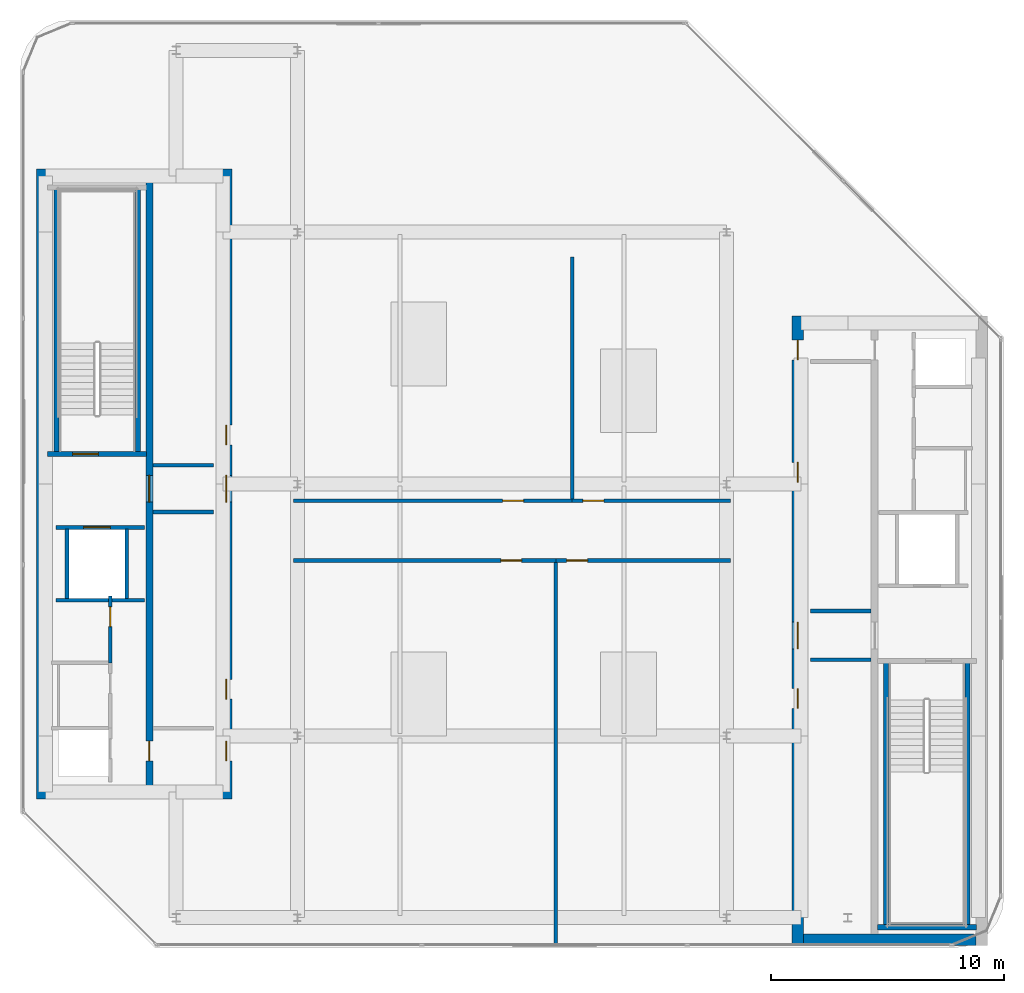
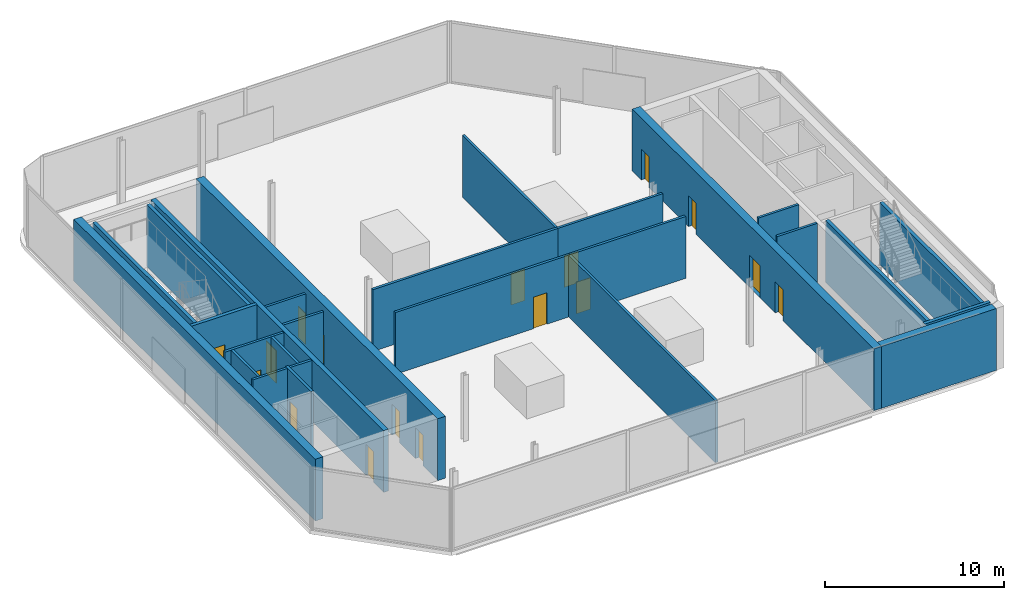
# One storey, part 5 of 15: 26 walls, 17 doors, 17 openings.
"""IFC4 building model written with IfcOpenShell, lengths in metres."""

from ifc_helpers import new_model, si_unit, direction, frame, frame_2d, origin, place, context, subcontext, project, spatial, rectangle, extrude, material, layer, layer_set, type_object, element, fill, save


model = new_model("IFC4")

# Units and contexts
model_context = context("Model", 3, precision=1e-05, world=origin(), true_north=direction((0.0, 1.0)))
body_context = subcontext(model_context, "Body", "Model", "MODEL_VIEW")
ifc_project = project(units=[si_unit("LENGTHUNIT", "METRE"), si_unit("AREAUNIT", "SQUARE_METRE"), si_unit("VOLUMEUNIT", "CUBIC_METRE"), si_unit("PLANEANGLEUNIT", "RADIAN"), si_unit("MASSUNIT", "GRAM", prefix="KILO")], contexts=[model_context])

# Site, building, storey
site_placement = place(None, origin())
site = spatial("IfcSite", under=ifc_project, at=site_placement, CompositionType="ELEMENT")
building_placement = place(site_placement, origin())
building = spatial("IfcBuilding", under=site, at=building_placement, Name="Khairoan Windgate Tower", CompositionType="ELEMENT")
storey_placement = place(building_placement, frame((0.0, 0.0, 335.0)))
storey = spatial("IfcBuildingStorey", under=building, at=storey_placement, Name="L80", CompositionType="ELEMENT", Elevation=335.0)

# Wall, opening, door
ifc_material_1 = material(Name="Concrete C40/50", Category="concrete")
ifc_layer_1 = layer(ifc_material_1, 0.159912109375, Name="Concrete C40/50")
ifc_layer_set_1 = layer_set([ifc_layer_1], Name="Concrete C40/50")
wall_type_1 = type_object("IfcWallType", Name="Core and Hoistway Enclosure Wall", PredefinedType="STANDARD", material=ifc_layer_set_1)
wall_1_placement = place(storey_placement, frame((-19.550048828125, -1.860107421875, 0.0), z_axis=(0.0, 0.0, 1.0), x_axis=(1.0, 0.0, 0.0)))
wall_1 = element("IfcWall", 1, at=wall_1_placement, inside=storey, type_object=wall_type_1, Name="L80 Core Shaft Wall SW-FL2-L80", PredefinedType="STANDARD", context=body_context, shape_type="SweptSolid", body=[
    extrude(rectangle(XDim=3.800048828125, YDim=0.159912109375, at=frame_2d((1.89990234375, 0.0))), origin(), (0.0, 0.0, 1.0), 4.219970703125),
])
opening_1_placement = place(wall_1_placement, frame((1.179931640625, 0.0, 0.0)))
opening_1 = element("IfcOpeningElement", 2, at=opening_1_placement, cuts=wall_1, Name="Opening LD-FL", PredefinedType="OPENING", context=body_context, shape_type="SweptSolid", body=[
    extrude(rectangle(XDim=1.14990234375, YDim=2.199951171875, at=frame_2d((0.574951171875, 1.10009765625))), frame((0.0, 0.08984375, 0.0), z_axis=(0.0, -1.0, 0.0), x_axis=(1.0, 0.0, 0.0)), (0.0, 0.0, 1.0), 0.179931640625),
])
ifc_material_2 = material(Name="Steel S355", Category="steel")
door_type_1 = type_object("IfcDoorType", Name="Firefighting Lift Sliding Landing Door LD-FL 1150x2200", OperationType="DOUBLE_DOOR_SLIDING", PredefinedType="DOOR", material=ifc_material_2)
door_1_placement = place(opening_1_placement, origin())
door_1 = element("IfcDoor", 3, at=door_1_placement, inside=storey, type_object=door_type_1, Name="L80 Firefighting Lift FL2 Landing Door", OperationType="DOUBLE_DOOR_SLIDING", OverallHeight=2.199951171875, OverallWidth=1.14990234375, PredefinedType="DOOR", context=body_context, shape_type="SweptSolid", body=[
    extrude(rectangle(XDim=1.14990234375, YDim=2.199951171875, at=frame_2d((0.574951171875, 1.10009765625))), frame((0.0, 0.02490234375, 0.0), z_axis=(0.0, -1.0, 0.0), x_axis=(1.0, 0.0, 0.0)), (0.0, 0.0, 1.0), 0.050048828125),
])
fill(opening_1, door_1)

# Walls
wall_2_placement = place(storey_placement, frame((-19.550048828125, -4.97998046875, 0.0), z_axis=(0.0, 0.0, 1.0), x_axis=(1.0, 0.0, 0.0)))
element("IfcWall", 4, at=wall_2_placement, inside=storey, type_object=wall_type_1, Name="L80 Core Shaft Wall SW-FL2B-L80", PredefinedType="STANDARD", context=body_context, shape_type="SweptSolid", body=[
    extrude(rectangle(XDim=3.800048828125, YDim=0.159912109375, at=frame_2d((1.89990234375, 0.0))), origin(), (0.0, 0.0, 1.0), 4.219970703125),
])
for number, where, z_axis, x_axis, name in (
    (5, (-19.080078125, -4.89990234375, 0.0), (0.0, 0.0, 1.0), (0.0, 1.0, 0.0), "L80 Core Shaft Wall SW-FL2W-L80"),
    (6, (-16.52001953125, -4.89990234375, 0.0), (0.0, 0.0, 1.0), (0.0, 1.0, 0.0), "L80 Core Shaft Wall SW-FL2E-L80"),
):
    element("IfcWall", number, at=place(storey_placement, frame(where, z_axis=z_axis, x_axis=x_axis)), inside=storey, type_object=wall_type_1, Name=name, PredefinedType="STANDARD", context=body_context, shape_type="SweptSolid", body=[
        extrude(rectangle(XDim=2.9599609375, YDim=0.159912109375, at=frame_2d((1.47998046875, 0.0))), origin(), (0.0, 0.0, 1.0), 4.219970703125),
    ])
for number, where, z_axis, x_axis, name in (
    (7, (-15.39990234375, 0.800048828125, 0.0), (0.0, 0.0, 1.0), (1.0, 0.0, 0.0), "L80 Core Shaft Wall SW-WV1-L80"),
    (8, (-15.39990234375, -1.199951171875, 0.0), (0.0, 0.0, 1.0), (1.0, 0.0, 0.0), "L80 Core Shaft Wall SW-WV2-L80"),
    (9, (12.800048828125, -5.449951171875, 0.0), (0.0, 0.0, 1.0), (1.0, 0.0, 0.0), "L80 Core Shaft Wall SW-EV1-L80"),
    (10, (12.800048828125, -7.5400390625, 0.0), (0.0, 0.0, 1.0), (1.0, 0.0, 0.0), "L80 Core Shaft Wall SW-EV2-L80"),
):
    element("IfcWall", number, at=place(storey_placement, frame(where, z_axis=z_axis, x_axis=x_axis)), inside=storey, type_object=wall_type_1, Name=name, PredefinedType="STANDARD", context=body_context, shape_type="SweptSolid", body=[
        extrude(rectangle(XDim=2.599853515625, YDim=0.159912109375, at=frame_2d((1.2998046875, 0.0))), origin(), (0.0, 0.0, 1.0), 4.219970703125),
    ])

# Wall, opening, door
ifc_material_3 = material(Name="Concrete C40/50", Category="concrete")
ifc_layer_2 = layer(ifc_material_3, 0.159912109375, Name="Concrete C40/50")
ifc_layer_set_2 = layer_set([ifc_layer_2], Name="Concrete C40/50")
wall_type_2 = type_object("IfcWallType", Name="Plant and Refuge Compartment Wall", PredefinedType="PARTITIONING", material=ifc_layer_set_2)
wall_3_placement = place(storey_placement, frame((-17.22998046875, -7.669921875, 0.0), z_axis=(0.0, 0.0, 1.0), x_axis=(0.0, 1.0, 0.0)))
wall_3 = element("IfcWall", 11, at=wall_3_placement, inside=storey, type_object=wall_type_2, Name="L80 Interior Partition 003", PredefinedType="PARTITIONING", context=body_context, shape_type="SweptSolid", body=[
    extrude(rectangle(XDim=2.85986328125, YDim=0.159912109375, at=frame_2d((1.429931640625, 0.0))), origin(), (0.0, 0.0, 1.0), 4.219970703125),
])
opening_2_placement = place(wall_3_placement, frame((1.550048828125, 0.0, 0.0)))
opening_2 = element("IfcOpeningElement", 12, at=opening_2_placement, cuts=wall_3, Name="Opening FD-SRV", PredefinedType="OPENING", context=body_context, shape_type="SweptSolid", body=[
    extrude(rectangle(XDim=0.85009765625, YDim=2.10009765625, at=frame_2d((0.425048828125, 1.050048828125))), frame((0.0, 0.08984375, 0.0), z_axis=(0.0, -1.0, 0.0), x_axis=(1.0, 0.0, 0.0)), (0.0, 0.0, 1.0), 0.179931640625),
])
ifc_material_4 = material(Name="Steel S355", Category="steel")
door_type_2 = type_object("IfcDoorType", Name="Core Service and Riser Fire Door FD-SRV 850x2100", OperationType="NOTDEFINED", PredefinedType="DOOR", material=ifc_material_4)
door_2_placement = place(opening_2_placement, origin())
door_2 = element("IfcDoor", 13, at=door_2_placement, inside=storey, type_object=door_type_2, Name="L80 L80-04-L80-07 Door", OperationType="SINGLE_SWING_LEFT", OverallHeight=2.10009765625, OverallWidth=0.85009765625, PredefinedType="DOOR", context=body_context, shape_type="SweptSolid", body=[
    extrude(rectangle(XDim=0.85009765625, YDim=2.10009765625, at=frame_2d((0.425048828125, 1.050048828125))), frame((0.0, 0.02490234375, 0.0), z_axis=(0.0, -1.0, 0.0), x_axis=(1.0, 0.0, 0.0)), (0.0, 0.0, 1.0), 0.050048828125),
])
fill(opening_2, door_2)

wall_4_placement = place(storey_placement, frame((-9.360107421875, -0.719970703125, 0.0), z_axis=(0.0, 0.0, 1.0), x_axis=(1.0, 0.0, 0.0)))
wall_4 = element("IfcWall", 14, at=wall_4_placement, inside=storey, type_object=wall_type_2, Name="L80 Interior Partition 011", PredefinedType="PARTITIONING", context=body_context, shape_type="SweptSolid", body=[
    extrude(rectangle(XDim=11.940185546875, YDim=0.159912109375, at=frame_2d((5.97021484375, 0.0))), origin(), (0.0, 0.0, 1.0), 4.219970703125),
])
opening_3_placement = place(wall_4_placement, frame((8.960693359375, 0.0, 0.0)))
opening_3 = element("IfcOpeningElement", 15, at=opening_3_placement, cuts=wall_4, Name="Opening FD-ENT", PredefinedType="OPENING", context=body_context, shape_type="SweptSolid", body=[
    extrude(rectangle(XDim=0.89990234375, YDim=2.14990234375, at=frame_2d((0.449951171875, 1.074951171875))), frame((0.0, 0.08984375, 0.0), z_axis=(0.0, -1.0, 0.0), x_axis=(1.0, 0.0, 0.0)), (0.0, 0.0, 1.0), 0.179931640625),
])
ifc_material_5 = material(Name="Timber Fire-Rated Core", Category="wood")
door_type_3 = type_object("IfcDoorType", Name="Unit and Office Fire Entrance Door FD-ENT 900x2150", OperationType="NOTDEFINED", PredefinedType="DOOR", material=ifc_material_5)
door_3_placement = place(opening_3_placement, origin())
door_3 = element("IfcDoor", 16, at=door_3_placement, inside=storey, type_object=door_type_3, Name="L80 L80-25-L80-26 Door", OperationType="SINGLE_SWING_LEFT", OverallHeight=2.14990234375, OverallWidth=0.89990234375, PredefinedType="DOOR", context=body_context, shape_type="SweptSolid", body=[
    extrude(rectangle(XDim=0.89990234375, YDim=2.14990234375, at=frame_2d((0.449951171875, 1.074951171875))), frame((0.0, 0.02490234375, 0.0), z_axis=(0.0, -1.0, 0.0), x_axis=(1.0, 0.0, 0.0)), (0.0, 0.0, 1.0), 0.050048828125),
])
fill(opening_3, door_3)

wall_5_placement = place(storey_placement, frame((-9.360107421875, -3.280029296875, 0.0), z_axis=(0.0, 0.0, 1.0), x_axis=(1.0, 0.0, 0.0)))
wall_5 = element("IfcWall", 17, at=wall_5_placement, inside=storey, type_object=wall_type_2, Name="L80 Interior Partition 012", PredefinedType="PARTITIONING", context=body_context, shape_type="SweptSolid", body=[
    extrude(rectangle(XDim=11.239990234375, YDim=0.159912109375, at=frame_2d((5.6201171875, 0.0))), origin(), (0.0, 0.0, 1.0), 4.219970703125),
])
opening_4_placement = place(wall_5_placement, frame((8.8779296875, 0.0, 0.0)))
opening_4 = element("IfcOpeningElement", 18, at=opening_4_placement, cuts=wall_5, Name="Opening FD-ENT", PredefinedType="OPENING", context=body_context, shape_type="SweptSolid", body=[
    extrude(rectangle(XDim=0.89990234375, YDim=2.14990234375, at=frame_2d((0.449951171875, 1.074951171875))), frame((0.0, 0.08984375, 0.0), z_axis=(0.0, -1.0, 0.0), x_axis=(1.0, 0.0, 0.0)), (0.0, 0.0, 1.0), 0.179931640625),
])
door_4_placement = place(opening_4_placement, origin())
door_4 = element("IfcDoor", 19, at=door_4_placement, inside=storey, type_object=door_type_3, Name="L80 L80-25-L80-27 Door", OperationType="SINGLE_SWING_RIGHT", OverallHeight=2.14990234375, OverallWidth=0.89990234375, PredefinedType="DOOR", context=body_context, shape_type="SweptSolid", body=[
    extrude(rectangle(XDim=0.89990234375, YDim=2.14990234375, at=frame_2d((0.449951171875, 1.074951171875))), frame((0.0, 0.02490234375, 0.0), z_axis=(0.0, -1.0, 0.0), x_axis=(1.0, 0.0, 0.0)), (0.0, 0.0, 1.0), 0.050048828125),
])
fill(opening_4, door_4)

wall_6_placement = place(storey_placement, frame((1.8798828125, -3.280029296875, 0.0), z_axis=(0.0, 0.0, 1.0), x_axis=(1.0, 0.0, 0.0)))
wall_6 = element("IfcWall", 20, at=wall_6_placement, inside=storey, type_object=wall_type_2, Name="L80 Interior Partition 013", PredefinedType="PARTITIONING", context=body_context, shape_type="SweptSolid", body=[
    extrude(rectangle(XDim=7.480224609375, YDim=0.159912109375, at=frame_2d((3.740234375, 0.0))), origin(), (0.0, 0.0, 1.0), 4.219970703125),
])
opening_5_placement = place(wall_6_placement, frame((0.4599609375, 0.0, 0.0)))
opening_5 = element("IfcOpeningElement", 21, at=opening_5_placement, cuts=wall_6, Name="Opening FD-ENT", PredefinedType="OPENING", context=body_context, shape_type="SweptSolid", body=[
    extrude(rectangle(XDim=0.89990234375, YDim=2.14990234375, at=frame_2d((0.449951171875, 1.074951171875))), frame((0.0, 0.08984375, 0.0), z_axis=(0.0, -1.0, 0.0), x_axis=(1.0, 0.0, 0.0)), (0.0, 0.0, 1.0), 0.179931640625),
])
door_5_placement = place(opening_5_placement, origin())
door_5 = element("IfcDoor", 22, at=door_5_placement, inside=storey, type_object=door_type_3, Name="L80 L80-25-L80-28 Door", OperationType="SINGLE_SWING_LEFT", OverallHeight=2.14990234375, OverallWidth=0.89990234375, PredefinedType="DOOR", context=body_context, shape_type="SweptSolid", body=[
    extrude(rectangle(XDim=0.89990234375, YDim=2.14990234375, at=frame_2d((0.449951171875, 1.074951171875))), frame((0.0, 0.02490234375, 0.0), z_axis=(0.0, -1.0, 0.0), x_axis=(1.0, 0.0, 0.0)), (0.0, 0.0, 1.0), 0.050048828125),
])
fill(opening_5, door_5)

wall_7_placement = place(storey_placement, frame((2.580078125, -0.719970703125, 0.0), z_axis=(0.0, 0.0, 1.0), x_axis=(1.0, 0.0, 0.0)))
wall_7 = element("IfcWall", 23, at=wall_7_placement, inside=storey, type_object=wall_type_2, Name="L80 Interior Partition 014", PredefinedType="PARTITIONING", context=body_context, shape_type="SweptSolid", body=[
    extrude(rectangle(XDim=6.780029296875, YDim=0.159912109375, at=frame_2d((3.39013671875, 0.0))), origin(), (0.0, 0.0, 1.0), 4.219970703125),
])
opening_6_placement = place(wall_7_placement, frame((0.4599609375, 0.0, 0.0)))
opening_6 = element("IfcOpeningElement", 24, at=opening_6_placement, cuts=wall_7, Name="Opening FD-ENT", PredefinedType="OPENING", context=body_context, shape_type="SweptSolid", body=[
    extrude(rectangle(XDim=0.89990234375, YDim=2.14990234375, at=frame_2d((0.449951171875, 1.074951171875))), frame((0.0, 0.08984375, 0.0), z_axis=(0.0, -1.0, 0.0), x_axis=(1.0, 0.0, 0.0)), (0.0, 0.0, 1.0), 0.179931640625),
])
door_6_placement = place(opening_6_placement, origin())
door_6 = element("IfcDoor", 25, at=door_6_placement, inside=storey, type_object=door_type_3, Name="L80 L80-25-L80-29 Door", OperationType="SINGLE_SWING_RIGHT", OverallHeight=2.14990234375, OverallWidth=0.89990234375, PredefinedType="DOOR", context=body_context, shape_type="SweptSolid", body=[
    extrude(rectangle(XDim=0.89990234375, YDim=2.14990234375, at=frame_2d((0.449951171875, 1.074951171875))), frame((0.0, 0.02490234375, 0.0), z_axis=(0.0, -1.0, 0.0), x_axis=(1.0, 0.0, 0.0)), (0.0, 0.0, 1.0), 0.050048828125),
])
fill(opening_6, door_6)

# Walls
wall_8_placement = place(storey_placement, frame((2.580078125, -0.639892578125, 0.0), z_axis=(0.0, 0.0, 1.0), x_axis=(0.0, 1.0, 0.0)))
element("IfcWall", 26, at=wall_8_placement, inside=storey, type_object=wall_type_2, Name="L80 Interior Partition 015", PredefinedType="PARTITIONING", context=body_context, shape_type="SweptSolid", body=[
    extrude(rectangle(XDim=10.3798828125, YDim=0.159912109375, at=frame_2d((5.18994140625, 0.0))), origin(), (0.0, 0.0, 1.0), 4.219970703125),
])
wall_9_placement = place(storey_placement, frame((1.8798828125, -19.7548828125, 0.0), z_axis=(0.0, 0.0, 1.0), x_axis=(0.0, 1.0, 0.0)))
element("IfcWall", 27, at=wall_9_placement, inside=storey, type_object=wall_type_2, Name="L80 Interior Partition 016", PredefinedType="PARTITIONING", context=body_context, shape_type="SweptSolid", body=[
    extrude(rectangle(XDim=16.394775390625, YDim=0.159912109375, at=frame_2d((8.197265625, 0.0))), origin(), (0.0, 0.0, 1.0), 4.219970703125),
])

# Wall, openings, doors
ifc_material_6 = material(Name="Concrete C50/60", Category="concrete")
ifc_layer_3 = layer(ifc_material_6, 0.5, Name="Concrete C50/60")
ifc_layer_set_3 = layer_set([ifc_layer_3], Name="Concrete C50/60")
wall_type_3 = type_object("IfcWallType", Name="Shear Wall CW-E3 500mm", PredefinedType="SHEAR", material=ifc_layer_set_3)
wall_10_placement = place(storey_placement, frame((12.25, -19.800048828125, 0.0), z_axis=(0.0, 0.0, 1.0), x_axis=(0.0, 1.0, 0.0)))
wall_10 = element("IfcWall", 28, at=wall_10_placement, inside=storey, type_object=wall_type_3, Name="E Core West Shear Wall L80", PredefinedType="SHEAR", context=body_context, shape_type="SweptSolid", body=[
    extrude(rectangle(XDim=27.0, YDim=0.5, at=frame_2d((13.5, 0.0))), origin(), (0.0, 0.0, 1.0), 4.219970703125),
])
opening_7_placement = place(wall_10_placement, frame((19.875, 0.0, 0.0)))
opening_7 = element("IfcOpeningElement", 29, at=opening_7_placement, cuts=wall_10, Name="Opening FD-SRV", PredefinedType="OPENING", context=body_context, shape_type="SweptSolid", body=[
    extrude(rectangle(XDim=0.85009765625, YDim=2.10009765625, at=frame_2d((0.425048828125, 1.050048828125))), frame((0.0, 0.260009765625, 0.0), z_axis=(0.0, -1.0, 0.0), x_axis=(1.0, 0.0, 0.0)), (0.0, 0.0, 1.0), 0.52001953125),
])
opening_8_placement = place(wall_10_placement, frame((10.175048828125, 0.0, 0.0)))
opening_8 = element("IfcOpeningElement", 30, at=opening_8_placement, cuts=wall_10, Name="Opening FD-SRV", PredefinedType="OPENING", context=body_context, shape_type="SweptSolid", body=[
    extrude(rectangle(XDim=0.85009765625, YDim=2.10009765625, at=frame_2d((0.425048828125, 1.050048828125))), frame((0.0, 0.260009765625, 0.0), z_axis=(0.0, -1.0, 0.0), x_axis=(1.0, 0.0, 0.0)), (0.0, 0.0, 1.0), 0.52001953125),
])
opening_9_placement = place(wall_10_placement, frame((12.72509765625, 0.0, 0.0)))
opening_9 = element("IfcOpeningElement", 31, at=opening_9_placement, cuts=wall_10, Name="Opening FD-FFL", PredefinedType="OPENING", context=body_context, shape_type="SweptSolid", body=[
    extrude(rectangle(XDim=1.14990234375, YDim=2.199951171875, at=frame_2d((0.574951171875, 1.10009765625))), frame((0.0, 0.260009765625, 0.0), z_axis=(0.0, -1.0, 0.0), x_axis=(1.0, 0.0, 0.0)), (0.0, 0.0, 1.0), 0.52001953125),
])
opening_10_placement = place(wall_10_placement, frame((25.125, 0.0, 0.0)))
opening_10 = element("IfcOpeningElement", 32, at=opening_10_placement, cuts=wall_10, Name="Opening FD-SRV", PredefinedType="OPENING", context=body_context, shape_type="SweptSolid", body=[
    extrude(rectangle(XDim=0.85009765625, YDim=2.10009765625, at=frame_2d((0.425048828125, 1.050048828125))), frame((0.0, 0.260009765625, 0.0), z_axis=(0.0, -1.0, 0.0), x_axis=(1.0, 0.0, 0.0)), (0.0, 0.0, 1.0), 0.52001953125),
])
door_7_placement = place(opening_7_placement, origin())
door_7 = element("IfcDoor", 33, at=door_7_placement, inside=storey, type_object=door_type_2, Name="L80 Crown Overrun Plant Door", OperationType="SINGLE_SWING_LEFT", OverallHeight=2.10009765625, OverallWidth=0.85009765625, PredefinedType="DOOR", context=body_context, shape_type="SweptSolid", body=[
    extrude(rectangle(XDim=0.85009765625, YDim=2.10009765625, at=frame_2d((0.425048828125, 1.050048828125))), frame((0.0, 0.02490234375, 0.0), z_axis=(0.0, -1.0, 0.0), x_axis=(1.0, 0.0, 0.0)), (0.0, 0.0, 1.0), 0.050048828125),
])
fill(opening_7, door_7)
door_8_placement = place(opening_8_placement, origin())
door_8 = element("IfcDoor", 34, at=door_8_placement, inside=storey, type_object=door_type_2, Name="L80 East Core Service Room Door 1", OperationType="SINGLE_SWING_RIGHT", OverallHeight=2.10009765625, OverallWidth=0.85009765625, PredefinedType="DOOR", context=body_context, shape_type="SweptSolid", body=[
    extrude(rectangle(XDim=0.85009765625, YDim=2.10009765625, at=frame_2d((0.425048828125, 1.050048828125))), frame((0.0, 0.02490234375, 0.0), z_axis=(0.0, -1.0, 0.0), x_axis=(1.0, 0.0, 0.0)), (0.0, 0.0, 1.0), 0.050048828125),
])
fill(opening_8, door_8)
door_9_placement = place(opening_10_placement, origin())
door_9 = element("IfcDoor", 35, at=door_9_placement, inside=storey, type_object=door_type_2, Name="L80 East Core Service Vestibule Outer Door", OperationType="SINGLE_SWING_LEFT", OverallHeight=2.10009765625, OverallWidth=0.85009765625, PredefinedType="DOOR", context=body_context, shape_type="SweptSolid", body=[
    extrude(rectangle(XDim=0.85009765625, YDim=2.10009765625, at=frame_2d((0.425048828125, 1.050048828125))), frame((0.0, 0.02490234375, 0.0), z_axis=(0.0, -1.0, 0.0), x_axis=(1.0, 0.0, 0.0)), (0.0, 0.0, 1.0), 0.050048828125),
])
fill(opening_10, door_9)
ifc_material_7 = material(Name="Steel S355", Category="steel")
door_type_4 = type_object("IfcDoorType", Name="Firefighting Lobby Fire Door FD-FFL 1150x2200", OperationType="NOTDEFINED", PredefinedType="DOOR", material=ifc_material_7)
door_10_placement = place(opening_9_placement, origin())
door_10 = element("IfcDoor", 36, at=door_10_placement, inside=storey, type_object=door_type_4, Name="L80 East Core Vestibule Entry Door", OperationType="SINGLE_SWING_LEFT", OverallHeight=2.199951171875, OverallWidth=1.14990234375, PredefinedType="DOOR", context=body_context, shape_type="SweptSolid", body=[
    extrude(rectangle(XDim=1.14990234375, YDim=2.199951171875, at=frame_2d((0.574951171875, 1.10009765625))), frame((0.0, 0.02490234375, 0.0), z_axis=(0.0, -1.0, 0.0), x_axis=(1.0, 0.0, 0.0)), (0.0, 0.0, 1.0), 0.050048828125),
])
fill(opening_9, door_10)

# Walls
wall_11_placement = place(storey_placement, frame((12.5, -19.550048828125, 0.0), z_axis=(0.0, 0.0, 1.0), x_axis=(1.0, 0.0, 0.0)))
element("IfcWall", 37, at=wall_11_placement, inside=storey, type_object=wall_type_3, Name="E Core South Shear Wall L80", PredefinedType="SHEAR", context=body_context, shape_type="SweptSolid", body=[
    extrude(rectangle(XDim=7.39990234375, YDim=0.5, at=frame_2d((3.699951171875, 0.0))), origin(), (0.0, 0.0, 1.0), 4.219970703125),
])
ifc_material_8 = material(Name="Concrete C50/60", Category="concrete")
ifc_layer_4 = layer(ifc_material_8, 0.5, Name="Concrete C50/60")
ifc_layer_set_4 = layer_set([ifc_layer_4], Name="Concrete C50/60")
wall_type_4 = type_object("IfcWallType", Name="Shear Wall CW-W3 500mm", PredefinedType="SHEAR", material=ifc_layer_set_4)
wall_12_placement = place(storey_placement, frame((-20.14990234375, -13.5, 0.0), z_axis=(0.0, 0.0, 1.0), x_axis=(0.0, 1.0, 0.0)))
element("IfcWall", 38, at=wall_12_placement, inside=storey, type_object=wall_type_4, Name="W Core West Shear Wall L80", PredefinedType="SHEAR", context=body_context, shape_type="SweptSolid", body=[
    extrude(rectangle(XDim=27.0, YDim=0.5, at=frame_2d((13.5, 0.0))), origin(), (0.0, 0.0, 1.0), 4.219970703125),
])

# Wall, openings, doors
wall_13_placement = place(storey_placement, frame((-12.25, -13.5, 0.0), z_axis=(0.0, 0.0, 1.0), x_axis=(0.0, 1.0, 0.0)))
wall_13 = element("IfcWall", 39, at=wall_13_placement, inside=storey, type_object=wall_type_4, Name="W Core East Shear Wall L80", PredefinedType="SHEAR", context=body_context, shape_type="SweptSolid", body=[
    extrude(rectangle(XDim=27.0, YDim=0.5, at=frame_2d((13.5, 0.0))), origin(), (0.0, 0.0, 1.0), 4.219970703125),
])
opening_11_placement = place(wall_13_placement, frame((15.175048828125, 0.0, 0.0)))
opening_11 = element("IfcOpeningElement", 40, at=opening_11_placement, cuts=wall_13, Name="Opening FD-SRV", PredefinedType="OPENING", context=body_context, shape_type="SweptSolid", body=[
    extrude(rectangle(XDim=0.85009765625, YDim=2.10009765625, at=frame_2d((0.425048828125, 1.050048828125))), frame((0.0, 0.260009765625, 0.0), z_axis=(0.0, -1.0, 0.0), x_axis=(1.0, 0.0, 0.0)), (0.0, 0.0, 1.0), 0.52001953125),
])
opening_12_placement = place(wall_13_placement, frame((4.27490234375, 0.0, 0.0)))
opening_12 = element("IfcOpeningElement", 41, at=opening_12_placement, cuts=wall_13, Name="Opening FD-SRV", PredefinedType="OPENING", context=body_context, shape_type="SweptSolid", body=[
    extrude(rectangle(XDim=0.85009765625, YDim=2.10009765625, at=frame_2d((0.425048828125, 1.050048828125))), frame((0.0, 0.260009765625, 0.0), z_axis=(0.0, -1.0, 0.0), x_axis=(1.0, 0.0, 0.0)), (0.0, 0.0, 1.0), 0.52001953125),
])
opening_13_placement = place(wall_13_placement, frame((12.72509765625, 0.0, 0.0)))
opening_13 = element("IfcOpeningElement", 42, at=opening_13_placement, cuts=wall_13, Name="Opening FD-FFL", PredefinedType="OPENING", context=body_context, shape_type="SweptSolid", body=[
    extrude(rectangle(XDim=1.14990234375, YDim=2.199951171875, at=frame_2d((0.574951171875, 1.10009765625))), frame((0.0, 0.260009765625, 0.0), z_axis=(0.0, -1.0, 0.0), x_axis=(1.0, 0.0, 0.0)), (0.0, 0.0, 1.0), 0.52001953125),
])
opening_14_placement = place(wall_13_placement, frame((1.625, 0.0, 0.0)))
opening_14 = element("IfcOpeningElement", 43, at=opening_14_placement, cuts=wall_13, Name="Opening FD-SRV", PredefinedType="OPENING", context=body_context, shape_type="SweptSolid", body=[
    extrude(rectangle(XDim=0.85009765625, YDim=2.10009765625, at=frame_2d((0.425048828125, 1.050048828125))), frame((0.0, 0.260009765625, 0.0), z_axis=(0.0, -1.0, 0.0), x_axis=(1.0, 0.0, 0.0)), (0.0, 0.0, 1.0), 0.52001953125),
])
door_11_placement = place(opening_11_placement, origin())
door_11 = element("IfcDoor", 44, at=door_11_placement, inside=storey, type_object=door_type_2, Name="L80 Upper Core Room Door B1-1", OperationType="SINGLE_SWING_LEFT", OverallHeight=2.10009765625, OverallWidth=0.85009765625, PredefinedType="DOOR", context=body_context, shape_type="SweptSolid", body=[
    extrude(rectangle(XDim=0.85009765625, YDim=2.10009765625, at=frame_2d((0.425048828125, 1.050048828125))), frame((0.0, 0.02490234375, 0.0), z_axis=(0.0, -1.0, 0.0), x_axis=(1.0, 0.0, 0.0)), (0.0, 0.0, 1.0), 0.050048828125),
])
fill(opening_11, door_11)
door_12_placement = place(opening_12_placement, origin())
door_12 = element("IfcDoor", 45, at=door_12_placement, inside=storey, type_object=door_type_2, Name="L80 Upper Core Room Door B2-1", OperationType="SINGLE_SWING_RIGHT", OverallHeight=2.10009765625, OverallWidth=0.85009765625, PredefinedType="DOOR", context=body_context, shape_type="SweptSolid", body=[
    extrude(rectangle(XDim=0.85009765625, YDim=2.10009765625, at=frame_2d((0.425048828125, 1.050048828125))), frame((0.0, 0.02490234375, 0.0), z_axis=(0.0, -1.0, 0.0), x_axis=(1.0, 0.0, 0.0)), (0.0, 0.0, 1.0), 0.050048828125),
])
fill(opening_12, door_12)
door_13_placement = place(opening_14_placement, origin())
door_13 = element("IfcDoor", 46, at=door_13_placement, inside=storey, type_object=door_type_2, Name="L80 West Core Service Vestibule Outer Door", OperationType="SINGLE_SWING_LEFT", OverallHeight=2.10009765625, OverallWidth=0.85009765625, PredefinedType="DOOR", context=body_context, shape_type="SweptSolid", body=[
    extrude(rectangle(XDim=0.85009765625, YDim=2.10009765625, at=frame_2d((0.425048828125, 1.050048828125))), frame((0.0, 0.02490234375, 0.0), z_axis=(0.0, -1.0, 0.0), x_axis=(1.0, 0.0, 0.0)), (0.0, 0.0, 1.0), 0.050048828125),
])
fill(opening_14, door_13)
door_14_placement = place(opening_13_placement, origin())
door_14 = element("IfcDoor", 47, at=door_14_placement, inside=storey, type_object=door_type_4, Name="L80 West Core Vestibule Entry Door", OperationType="SINGLE_SWING_LEFT", OverallHeight=2.199951171875, OverallWidth=1.14990234375, PredefinedType="DOOR", context=body_context, shape_type="SweptSolid", body=[
    extrude(rectangle(XDim=1.14990234375, YDim=2.199951171875, at=frame_2d((0.574951171875, 1.10009765625))), frame((0.0, 0.02490234375, 0.0), z_axis=(0.0, -1.0, 0.0), x_axis=(1.0, 0.0, 0.0)), (0.0, 0.0, 1.0), 0.050048828125),
])
fill(opening_13, door_14)

ifc_material_9 = material(Name="Concrete C50/60", Category="concrete")
ifc_layer_5 = layer(ifc_material_9, 0.300048828125, Name="Concrete C50/60")
ifc_layer_set_5 = layer_set([ifc_layer_5], Name="Concrete C50/60")
wall_type_5 = type_object("IfcWallType", Name="Shear Wall SW-2 300mm", PredefinedType="SHEAR", material=ifc_layer_set_5)
wall_14_placement = place(storey_placement, frame((-15.550048828125, -13.0, 0.0), z_axis=(0.0, 0.0, 1.0), x_axis=(0.0, 1.0, 0.0)))
wall_14 = element("IfcWall", 48, at=wall_14_placement, inside=storey, type_object=wall_type_5, Name="W Core Spine Shear Wall L80", PredefinedType="SHEAR", context=body_context, shape_type="SweptSolid", body=[
    extrude(rectangle(XDim=26.0, YDim=0.300048828125, at=frame_2d((13.0, 0.0))), origin(), (0.0, 0.0, 1.0), 4.219970703125),
])
opening_15_placement = place(wall_14_placement, frame((12.22509765625, 0.0, 0.0)))
opening_15 = element("IfcOpeningElement", 49, at=opening_15_placement, cuts=wall_14, Name="Opening FD-FFL", PredefinedType="OPENING", context=body_context, shape_type="SweptSolid", body=[
    extrude(rectangle(XDim=1.14990234375, YDim=2.199951171875, at=frame_2d((0.574951171875, 1.10009765625))), frame((0.0, 0.159912109375, 0.0), z_axis=(0.0, -1.0, 0.0), x_axis=(1.0, 0.0, 0.0)), (0.0, 0.0, 1.0), 0.320068359375),
])
opening_16_placement = place(wall_14_placement, frame((1.125, 0.0, 0.0)))
opening_16 = element("IfcOpeningElement", 50, at=opening_16_placement, cuts=wall_14, Name="Opening FD-SRV", PredefinedType="OPENING", context=body_context, shape_type="SweptSolid", body=[
    extrude(rectangle(XDim=0.85009765625, YDim=2.10009765625, at=frame_2d((0.425048828125, 1.050048828125))), frame((0.0, 0.159912109375, 0.0), z_axis=(0.0, -1.0, 0.0), x_axis=(1.0, 0.0, 0.0)), (0.0, 0.0, 1.0), 0.320068359375),
])
door_15_placement = place(opening_16_placement, origin())
door_15 = element("IfcDoor", 51, at=door_15_placement, inside=storey, type_object=door_type_2, Name="L80 West Core Service Passage Inner Door", OperationType="SINGLE_SWING_RIGHT", OverallHeight=2.10009765625, OverallWidth=0.85009765625, PredefinedType="DOOR", context=body_context, shape_type="SweptSolid", body=[
    extrude(rectangle(XDim=0.85009765625, YDim=2.10009765625, at=frame_2d((0.425048828125, 1.050048828125))), frame((0.0, 0.02490234375, 0.0), z_axis=(0.0, -1.0, 0.0), x_axis=(1.0, 0.0, 0.0)), (0.0, 0.0, 1.0), 0.050048828125),
])
fill(opening_16, door_15)
door_16_placement = place(opening_15_placement, origin())
door_16 = element("IfcDoor", 52, at=door_16_placement, inside=storey, type_object=door_type_4, Name="L80 West Firefighting Lobby Fire Door", OperationType="SINGLE_SWING_RIGHT", OverallHeight=2.199951171875, OverallWidth=1.14990234375, PredefinedType="DOOR", context=body_context, shape_type="SweptSolid", body=[
    extrude(rectangle(XDim=1.14990234375, YDim=2.199951171875, at=frame_2d((0.574951171875, 1.10009765625))), frame((0.0, 0.02490234375, 0.0), z_axis=(0.0, -1.0, 0.0), x_axis=(1.0, 0.0, 0.0)), (0.0, 0.0, 1.0), 0.050048828125),
])
fill(opening_15, door_16)

# Walls
ifc_material_10 = material(Name="Concrete C50/60", Category="concrete")
ifc_layer_6 = layer(ifc_material_10, 0.219970703125, Name="Concrete C50/60")
ifc_layer_set_6 = layer_set([ifc_layer_6], Name="Concrete C50/60")
wall_type_6 = type_object("IfcWallType", Name="Shear Wall SW-ST 220mm", PredefinedType="SHEAR", material=ifc_layer_set_6)
for number, where, z_axis, x_axis, name in (
    (53, (16.0400390625, -19.010009765625, 0.0), (0.0, 0.0, 1.0), (0.0, 1.0, 0.0), "L80 Stair ST1 West Bearing Wall"),
    (54, (19.530029296875, -19.010009765625, 0.0), (0.0, 0.0, 1.0), (0.0, 1.0, 0.0), "L80 Stair ST1 East Bearing Wall"),
):
    element("IfcWall", number, at=place(storey_placement, frame(where, z_axis=z_axis, x_axis=x_axis)), inside=storey, type_object=wall_type_6, Name=name, PredefinedType="SHEAR", context=body_context, shape_type="SweptSolid", body=[
        extrude(rectangle(XDim=11.419921875, YDim=0.219970703125, at=frame_2d((5.7099609375, 0.0))), origin(), (0.0, 0.0, 1.0), 4.219970703125),
    ])
wall_15_placement = place(storey_placement, frame((15.679931640625, -19.010009765625, 0.0), z_axis=(0.0, 0.0, 1.0), x_axis=(1.0, 0.0, 0.0)))
element("IfcWall", 55, at=wall_15_placement, inside=storey, type_object=wall_type_6, Name="L80 Stair ST1 South Bearing Wall", PredefinedType="SHEAR", context=body_context, shape_type="SweptSolid", body=[
    extrude(rectangle(XDim=4.239990234375, YDim=0.219970703125, at=frame_2d((2.1201171875, 0.0))), origin(), (0.0, 0.0, 1.0), 4.219970703125),
])
for number, where, z_axis, x_axis, name in (
    (56, (-16.0400390625, 1.2900390625, 0.0), (0.0, 0.0, 1.0), (0.0, 1.0, 0.0), "L80 Stair ST2 East Bearing Wall"),
    (57, (-19.530029296875, 1.2900390625, 0.0), (0.0, 0.0, 1.0), (0.0, 1.0, 0.0), "L80 Stair ST2 West Bearing Wall"),
):
    element("IfcWall", number, at=place(storey_placement, frame(where, z_axis=z_axis, x_axis=x_axis)), inside=storey, type_object=wall_type_6, Name=name, PredefinedType="SHEAR", context=body_context, shape_type="SweptSolid", body=[
        extrude(rectangle(XDim=11.419921875, YDim=0.219970703125, at=frame_2d((5.7099609375, 0.0))), origin(), (0.0, 0.0, 1.0), 4.219970703125),
    ])

# Wall, opening, door
wall_16_placement = place(storey_placement, frame((-19.919921875, 1.2900390625, 0.0), z_axis=(0.0, 0.0, 1.0), x_axis=(1.0, 0.0, 0.0)))
wall_16 = element("IfcWall", 58, at=wall_16_placement, inside=storey, type_object=wall_type_6, Name="L80 Stair ST2 South Bearing Wall", PredefinedType="SHEAR", context=body_context, shape_type="SweptSolid", body=[
    extrude(rectangle(XDim=4.239990234375, YDim=0.219970703125, at=frame_2d((2.1201171875, 0.0))), origin(), (0.0, 0.0, 1.0), 4.219970703125),
])
opening_17_placement = place(wall_16_placement, frame((1.080078125, 0.0, 0.0)))
opening_17 = element("IfcOpeningElement", 59, at=opening_17_placement, cuts=wall_16, Name="Opening FD-ST", PredefinedType="OPENING", context=body_context, shape_type="SweptSolid", body=[
    extrude(rectangle(XDim=1.10009765625, YDim=2.199951171875, at=frame_2d((0.550048828125, 1.10009765625))), frame((0.0, 0.119873046875, 0.0), z_axis=(0.0, -1.0, 0.0), x_axis=(1.0, 0.0, 0.0)), (0.0, 0.0, 1.0), 0.239990234375),
])
ifc_material_11 = material(Name="Steel S355", Category="steel")
door_type_5 = type_object("IfcDoorType", Name="Smokeproof Stair Fire Door FD-ST 1100x2200", OperationType="NOTDEFINED", PredefinedType="DOOR", material=ifc_material_11)
door_17_placement = place(opening_17_placement, origin())
door_17 = element("IfcDoor", 60, at=door_17_placement, inside=storey, type_object=door_type_5, Name="L80 Stair ST2 Fire Door", OperationType="SINGLE_SWING_RIGHT", OverallHeight=2.199951171875, OverallWidth=1.10009765625, PredefinedType="DOOR", context=body_context, shape_type="SweptSolid", body=[
    extrude(rectangle(XDim=1.10009765625, YDim=2.199951171875, at=frame_2d((0.550048828125, 1.10009765625))), frame((0.0, 0.02490234375, 0.0), z_axis=(0.0, -1.0, 0.0), x_axis=(1.0, 0.0, 0.0)), (0.0, 0.0, 1.0), 0.050048828125),
])
fill(opening_17, door_17)

save(model, "model.ifc")
